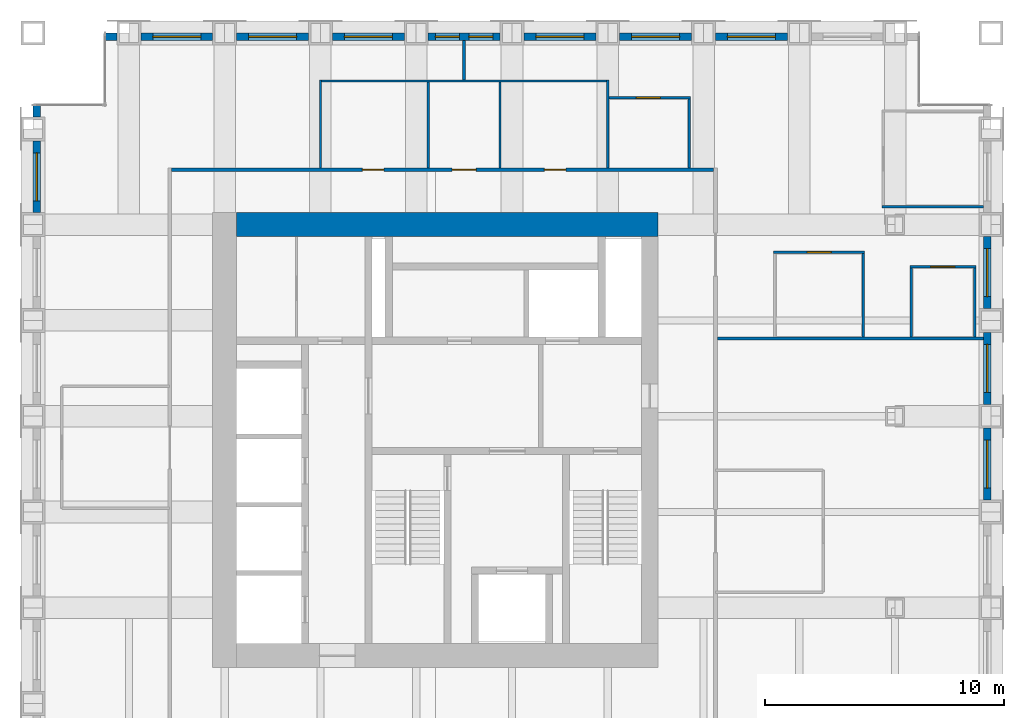
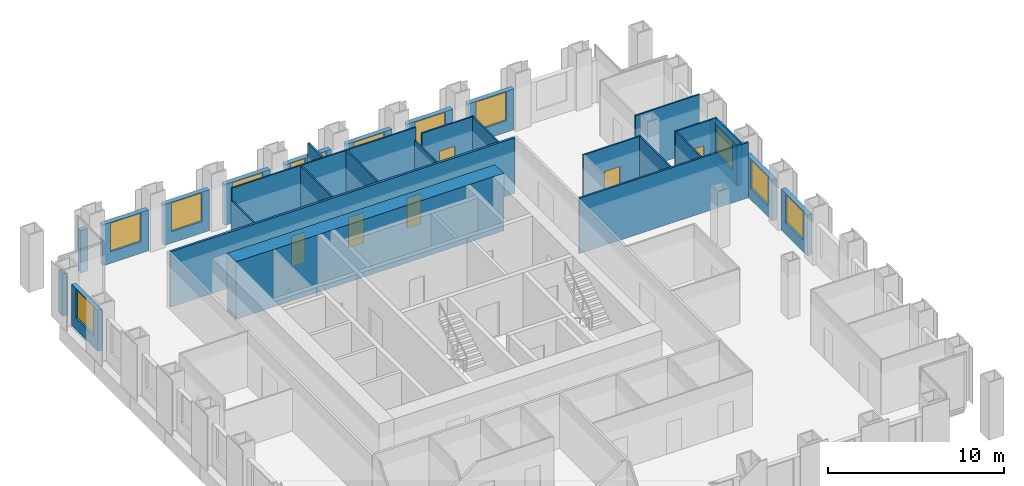
# One storey, part 10 of 13: 30 walls, 12 windows, 6 doors, 18 openings.
"""IFC4 building model written with IfcOpenShell, lengths in metres."""

import ifcopenshell
import ifcopenshell.guid

model = None  # the IFC model being written
_history = None  # IfcOwnerHistory: only IFC2X3 demands one
_inside = {}  # id of a spatial element -> (the spatial element, [elements in it])
_under = {}  # id of a project, library or spatial element -> (it, [spatial elements below it])
_declared = {}  # id of a project -> (the project, [libraries it declares])
_typed = {}  # id of a type object -> (the type object, [elements of that type])
_made_of = {}  # id of a material, layer set ... -> (it, [elements and type objects made of it])


def new_model(schema):
    """Start an empty IFC model of exactly this schema.

    Asked for "IFC4X3", IfcOpenShell would pick the latest addendum, in which some entities
    have other attributes; the version numbers below select the first issue.
    IFC2X3 requires an IfcOwnerHistory on every rooted entity: one is made here for all.
    """
    global model, _history
    if schema == "IFC4X3":
        model = ifcopenshell.file(schema_version=(4, 3, 0, 0))
    else:
        model = ifcopenshell.file(schema=schema)
    _inside.clear()
    _under.clear()
    _declared.clear()
    _typed.clear()
    _made_of.clear()
    _history = None
    if model.schema == "IFC2X3":
        org = make("IfcOrganization", Name="unknown")
        user = make(
            "IfcPersonAndOrganization",
            ThePerson=make("IfcPerson", FamilyName="unknown"),
            TheOrganization=org,
        )
        app = make(
            "IfcApplication",
            ApplicationDeveloper=org,
            Version="unknown",
            ApplicationFullName="unknown",
            ApplicationIdentifier="unknown",
        )
        _history = make(
            "IfcOwnerHistory",
            OwningUser=user,
            OwningApplication=app,
            ChangeAction="ADDED",
            CreationDate=0,
        )
    return model


def make(cls, **values):
    """One entity of the class cls with the attributes given. An attribute that is None is left unset."""
    return model.create_entity(
        cls, **{name: value for name, value in values.items() if value is not None}
    )


def rooted(cls, **values):
    """An entity with a GlobalId (a new one), such as an element, a storey or a relation."""
    return make(cls, GlobalId=ifcopenshell.guid.new(), OwnerHistory=_history, **values)


def si_unit(unit_type, name, prefix=None):
    """IfcSIUnit, for example si_unit("LENGTHUNIT", "METRE", prefix="MILLI")."""
    return make("IfcSIUnit", UnitType=unit_type, Prefix=prefix, Name=name)


def assignment(units):
    """IfcUnitAssignment: the units of a project."""
    return None if units is None else make("IfcUnitAssignment", Units=units)


def point(xyz):
    """IfcCartesianPoint."""
    return None if xyz is None else make("IfcCartesianPoint", Coordinates=xyz)


def direction(xyz):
    """IfcDirection."""
    return None if xyz is None else make("IfcDirection", DirectionRatios=xyz)


def frame(location, z_axis=None, x_axis=None):
    """IfcAxis2Placement3D, a coordinate frame: its origin and axes. An axis left out is left unset."""
    return make(
        "IfcAxis2Placement3D",
        Location=point(location),
        Axis=direction(z_axis),
        RefDirection=direction(x_axis),
    )


def frame_2d(location, x_axis=None):
    """IfcAxis2Placement2D, a coordinate frame in the plane: its origin and x axis."""
    return make(
        "IfcAxis2Placement2D", Location=point(location), RefDirection=direction(x_axis)
    )


def origin():
    """The frame at (0, 0, 0) with its axes left unset."""
    return frame((0.0, 0.0, 0.0))


def place(relative_to, where):
    """IfcLocalPlacement: puts the frame where relative to a parent placement (None: the world)."""
    return make(
        "IfcLocalPlacement", PlacementRelTo=relative_to, RelativePlacement=where
    )


def context(
    kind, dimensions, precision=None, world=None, true_north=None, identifier=None
):
    """IfcGeometricRepresentationContext, for example the 3D "Model" context."""
    return make(
        "IfcGeometricRepresentationContext",
        ContextIdentifier=identifier,
        ContextType=kind,
        CoordinateSpaceDimension=dimensions,
        Precision=precision,
        WorldCoordinateSystem=world,
        TrueNorth=true_north,
    )


def subcontext(parent, identifier, kind, view, scale=None):
    """IfcGeometricRepresentationSubContext, for example "Body" below "Model"."""
    return make(
        "IfcGeometricRepresentationSubContext",
        ContextIdentifier=identifier,
        ContextType=kind,
        ParentContext=parent,
        TargetScale=scale,
        TargetView=view,
    )


def project(units=None, contexts=None):
    """IfcProject with its units and contexts."""
    return rooted(
        "IfcProject",
        Name="project",
        RepresentationContexts=contexts,
        UnitsInContext=assignment(units),
    )


def spatial(cls, under=None, at=None, **own):
    """A site, building, storey or space (cls), placed at a placement, below another one or the project."""
    s = rooted(cls, ObjectPlacement=at, **own)
    if under is not None:
        _under.setdefault(under.id(), (under, []))[1].append(s)
    return s


def profile(cls, at=None, kind="AREA", **sizes):
    """A parametric profile (cls). Its sizes go by their IFC names, for example OverallWidth=200.0."""
    return make(cls, ProfileType=kind, Position=at, **sizes)


def rectangle(**sizes):
    """IfcRectangleProfileDef."""
    return profile("IfcRectangleProfileDef", **sizes)


def extrude(swept, where, along, depth):
    """IfcExtrudedAreaSolid: the profile swept, set in the frame where, extruded along a direction by depth."""
    return make(
        "IfcExtrudedAreaSolid",
        SweptArea=swept,
        Position=where,
        ExtrudedDirection=direction(along),
        Depth=depth,
    )


def shape(context_of_items, identifier, shape_type, items):
    """IfcShapeRepresentation: the items that make up one representation, for example the "Body"."""
    return make(
        "IfcShapeRepresentation",
        ContextOfItems=context_of_items,
        RepresentationIdentifier=identifier,
        RepresentationType=shape_type,
        Items=items,
    )


def material(Name=None, Category=None):
    """IfcMaterial."""
    return make("IfcMaterial", Name=Name, Category=Category)


def layer(
    of_material, thickness, ventilated=None, Name=None, Category=None, Priority=None
):
    """IfcMaterialLayer: one layer of a wall or slab, of a material (None: an air gap)."""
    return make(
        "IfcMaterialLayer",
        Material=of_material,
        LayerThickness=thickness,
        IsVentilated=ventilated,
        Name=Name,
        Category=Category,
        Priority=Priority,
    )


def layer_set(layers, Name=None):
    """IfcMaterialLayerSet."""
    return make("IfcMaterialLayerSet", MaterialLayers=layers, LayerSetName=Name)


def made_of(thing, what):
    """Note that an element or type object is made of a material, layer set ...; save() writes the relation."""
    if what is not None:
        _made_of.setdefault(what.id(), (what, []))[1].append(thing)
    return thing


def type_object(cls, material=None, **own):
    """A type object (cls), such as IfcWallType, which elements share."""
    return made_of(rooted(cls, **own), material)


def element(
    cls,
    number,
    at=None,
    inside=None,
    cuts=None,
    type_object=None,
    material=None,
    context=None,
    identifier="Body",
    shape_type=None,
    held_by="IfcProductDefinitionShape",
    body=None,
    shapes=None,
    **own,
):
    """One element of the class cls, such as IfcWall. Its Tag is "e" and its number.

    at: its placement. inside: the storey or other place that contains it. cuts: it is an
    opening in that element (IfcRelVoidsElement). A single representation is given by context,
    identifier, shape_type and body (its items); several are given by shapes. held_by: the class
    of the entity that holds the representations. save() writes the other relations.
    """
    e = rooted(cls, Tag="e%d" % number, ObjectPlacement=at, **own)
    if body is not None:
        shapes = [shape(context, identifier, shape_type, body)]
    if shapes is not None:
        e.Representation = make(held_by, Representations=shapes)
    if inside is not None:
        _inside.setdefault(inside.id(), (inside, []))[1].append(e)
    if cuts is not None:
        rooted(
            "IfcRelVoidsElement", RelatingBuildingElement=cuts, RelatedOpeningElement=e
        )
    if type_object is not None:
        _typed.setdefault(type_object.id(), (type_object, []))[1].append(e)
    return made_of(e, material)


def fill(opening, filler):
    """IfcRelFillsElement: the door or window that sits in an opening."""
    return rooted(
        "IfcRelFillsElement",
        RelatingOpeningElement=opening,
        RelatedBuildingElement=filler,
    )


def aggregate(whole, parts):
    """IfcRelAggregates: a whole, such as a stair, and the parts it consists of."""
    return rooted("IfcRelAggregates", RelatingObject=whole, RelatedObjects=parts)


def save(model, path):
    """Write the relations noted so far, then the file.

    IfcRelAggregates (storeys below a building ...), IfcRelContainedInSpatialStructure (elements
    in a storey), IfcRelDefinesByType, IfcRelAssociatesMaterial and IfcRelDeclares: one each for
    every whole, place, type object, material and project.
    """
    for whole, parts in _under.values():
        aggregate(whole, parts)
    for where, things in _inside.values():
        rooted(
            "IfcRelContainedInSpatialStructure",
            RelatedElements=things,
            RelatingStructure=where,
        )
    for kind, things in _typed.values():
        rooted("IfcRelDefinesByType", RelatedObjects=things, RelatingType=kind)
    for what, things in _made_of.values():
        rooted("IfcRelAssociatesMaterial", RelatedObjects=things, RelatingMaterial=what)
    for by, libraries in _declared.values():
        rooted("IfcRelDeclares", RelatingContext=by, RelatedDefinitions=libraries)
    model.write(path)


model = new_model("IFC4")

# Units and contexts
model_context = context("Model", 3, precision=1e-05, world=origin(), true_north=direction((0.0, 1.0)))
body_context = subcontext(model_context, "Body", "Model", "MODEL_VIEW")
ifc_project = project(units=[si_unit("LENGTHUNIT", "METRE"), si_unit("AREAUNIT", "SQUARE_METRE"), si_unit("VOLUMEUNIT", "CUBIC_METRE"), si_unit("PLANEANGLEUNIT", "RADIAN"), si_unit("MASSUNIT", "GRAM", prefix="KILO")], contexts=[model_context])

# Site, building, storey
site_placement = place(None, origin())
site = spatial("IfcSite", under=ifc_project, at=site_placement, CompositionType="ELEMENT")
building_placement = place(site_placement, origin())
building = spatial("IfcBuilding", under=site, at=building_placement, Name="Rimbunsela Tower", CompositionType="ELEMENT")
storey_placement = place(building_placement, frame((0.0, 0.0, 258.199951171875)))
storey = spatial("IfcBuildingStorey", under=building, at=storey_placement, Name="L62", CompositionType="ELEMENT", Elevation=258.199951171875)

# Wall
ifc_material_1 = material(Name="Concrete fc' 80 MPa", Category="concrete")
ifc_layer_1 = layer(ifc_material_1, 1.0)
ifc_layer_set_1 = layer_set([ifc_layer_1], Name="Core wall 1000")
wall_type_1 = type_object("IfcWallType", Name="Core wall 1000", PredefinedType="SHEAR", material=ifc_layer_set_1)
wall_1_placement = place(storey_placement, frame((18.5, 36.0, -0.14990234375), z_axis=(0.0, 0.0, 1.0), x_axis=(1.0, 0.0, 0.0)))
element("IfcWall", 1, at=wall_1_placement, inside=storey, type_object=wall_type_1, Name="Core wall north", PredefinedType="SHEAR", context=body_context, shape_type="SweptSolid", body=[
    extrude(rectangle(XDim=17.60009765625, YDim=1.0, at=frame_2d((8.800048828125, 0.0))), origin(), (0.0, 0.0, 1.0), 4.0),
])

# Wall, opening, door
ifc_material_2 = material(Name="Gypsum board on steel studs", Category="steel")
ifc_layer_2 = layer(ifc_material_2, 0.10009765625)
ifc_layer_set_2 = layer_set([ifc_layer_2], Name="Office partition 100")
wall_type_2 = type_object("IfcWallType", Name="Office partition 100", PredefinedType="PARTITIONING", material=ifc_layer_set_2)
wall_2_placement = place(storey_placement, frame((46.625, 34.25, 0.0), z_axis=(0.0, 0.0, 1.0), x_axis=(1.0, 0.0, 0.0)))
wall_2 = element("IfcWall", 2, at=wall_2_placement, inside=storey, type_object=wall_type_2, Name="Office partition", PredefinedType="PARTITIONING", context=body_context, shape_type="SweptSolid", body=[
    extrude(rectangle(XDim=2.75, YDim=0.10009765625, at=frame_2d((1.375, 0.0))), origin(), (0.0, 0.0, 1.0), 3.85009765625),
])
opening_1_placement = place(wall_2_placement, frame((0.875, 0.0, 0.0)))
opening_1 = element("IfcOpeningElement", 3, at=opening_1_placement, cuts=wall_2, Name="Opening D16", PredefinedType="OPENING", context=body_context, shape_type="SweptSolid", body=[
    extrude(rectangle(XDim=1.0, YDim=2.199951171875, at=frame_2d((0.5, 1.10009765625))), frame((0.0, 0.06005859375, 0.0), z_axis=(0.0, -1.0, 0.0), x_axis=(1.0, 0.0, 0.0)), (0.0, 0.0, 1.0), 0.1201171875),
])
ifc_material_3 = material(Name="Timber door", Category="wood")
door_type_1 = type_object("IfcDoorType", Name="Office door 1000", OperationType="SINGLE_SWING_LEFT", PredefinedType="DOOR", material=ifc_material_3)
door_1_placement = place(opening_1_placement, origin())
door_1 = element("IfcDoor", 4, at=door_1_placement, inside=storey, type_object=door_type_1, Name="Office door", OperationType="SINGLE_SWING_LEFT", OverallHeight=2.199951171875, OverallWidth=1.0, PredefinedType="DOOR", context=body_context, shape_type="SweptSolid", body=[
    extrude(rectangle(XDim=1.0, YDim=2.199951171875, at=frame_2d((0.5, 1.10009765625))), frame((0.0, 0.02490234375, 0.0), z_axis=(0.0, -1.0, 0.0), x_axis=(1.0, 0.0, 0.0)), (0.0, 0.0, 1.0), 0.050048828125),
])
fill(opening_1, door_1)

wall_3_placement = place(storey_placement, frame((40.925048828125, 34.85009765625, 0.0), z_axis=(0.0, 0.0, 1.0), x_axis=(1.0, 0.0, 0.0)))
wall_3 = element("IfcWall", 5, at=wall_3_placement, inside=storey, type_object=wall_type_2, Name="Office partition", PredefinedType="PARTITIONING", context=body_context, shape_type="SweptSolid", body=[
    extrude(rectangle(XDim=3.800048828125, YDim=0.10009765625, at=frame_2d((1.89990234375, 0.0))), origin(), (0.0, 0.0, 1.0), 3.85009765625),
])
opening_2_placement = place(wall_3_placement, frame((1.39990234375, 0.0, 0.0)))
opening_2 = element("IfcOpeningElement", 6, at=opening_2_placement, cuts=wall_3, Name="Opening D17", PredefinedType="OPENING", context=body_context, shape_type="SweptSolid", body=[
    extrude(rectangle(XDim=1.0, YDim=2.199951171875, at=frame_2d((0.5, 1.10009765625))), frame((0.0, 0.06005859375, 0.0), z_axis=(0.0, -1.0, 0.0), x_axis=(1.0, 0.0, 0.0)), (0.0, 0.0, 1.0), 0.1201171875),
])
ifc_material_4 = material(Name="Glazed aluminium door", Category="aluminium")
door_type_2 = type_object("IfcDoorType", Name="Meeting room door 1000 glazed", OperationType="SINGLE_SWING_RIGHT", PredefinedType="DOOR", material=ifc_material_4)
door_2_placement = place(opening_2_placement, origin())
door_2 = element("IfcDoor", 7, at=door_2_placement, inside=storey, type_object=door_type_2, Name="Meeting room door", OperationType="SINGLE_SWING_RIGHT", OverallHeight=2.199951171875, OverallWidth=1.0, PredefinedType="DOOR", context=body_context, shape_type="SweptSolid", body=[
    extrude(rectangle(XDim=1.0, YDim=2.199951171875, at=frame_2d((0.5, 1.10009765625))), frame((0.0, 0.02490234375, 0.0), z_axis=(0.0, -1.0, 0.0), x_axis=(1.0, 0.0, 0.0)), (0.0, 0.0, 1.0), 0.050048828125),
])
fill(opening_2, door_2)

# Wall
wall_4_placement = place(storey_placement, frame((45.449951171875, 36.75, 0.0), z_axis=(0.0, 0.0, 1.0), x_axis=(1.0, 0.0, 0.0)))
element("IfcWall", 8, at=wall_4_placement, inside=storey, type_object=wall_type_2, Name="Office partition", PredefinedType="PARTITIONING", context=body_context, shape_type="SweptSolid", body=[
    extrude(rectangle(XDim=4.25, YDim=0.10009765625, at=frame_2d((2.125, 0.0))), origin(), (0.0, 0.0, 1.0), 3.85009765625),
])

# Wall, opening, door
wall_5_placement = place(storey_placement, frame((34.050048828125, 41.300048828125, 0.0), z_axis=(0.0, 0.0, 1.0), x_axis=(1.0, 0.0, 0.0)))
wall_5 = element("IfcWall", 9, at=wall_5_placement, inside=storey, type_object=wall_type_2, Name="Office partition", PredefinedType="PARTITIONING", context=body_context, shape_type="SweptSolid", body=[
    extrude(rectangle(XDim=3.39990234375, YDim=0.10009765625, at=frame_2d((1.699951171875, 0.0))), origin(), (0.0, 0.0, 1.0), 3.85009765625),
])
opening_3_placement = place(wall_5_placement, frame((1.14990234375, 0.0, 0.0)))
opening_3 = element("IfcOpeningElement", 10, at=opening_3_placement, cuts=wall_5, Name="Opening D16", PredefinedType="OPENING", context=body_context, shape_type="SweptSolid", body=[
    extrude(rectangle(XDim=1.0, YDim=2.199951171875, at=frame_2d((0.5, 1.10009765625))), frame((0.0, 0.06005859375, 0.0), z_axis=(0.0, -1.0, 0.0), x_axis=(1.0, 0.0, 0.0)), (0.0, 0.0, 1.0), 0.1201171875),
])
door_3_placement = place(opening_3_placement, origin())
door_3 = element("IfcDoor", 11, at=door_3_placement, inside=storey, type_object=door_type_1, Name="Office door", OperationType="SINGLE_SWING_LEFT", OverallHeight=2.199951171875, OverallWidth=1.0, PredefinedType="DOOR", context=body_context, shape_type="SweptSolid", body=[
    extrude(rectangle(XDim=1.0, YDim=2.199951171875, at=frame_2d((0.5, 1.10009765625))), frame((0.0, 0.02490234375, 0.0), z_axis=(0.0, -1.0, 0.0), x_axis=(1.0, 0.0, 0.0)), (0.0, 0.0, 1.0), 0.050048828125),
])
fill(opening_3, door_3)

# Walls
wall_6_placement = place(storey_placement, frame((37.39990234375, 38.375, 0.0), z_axis=(0.0, 0.0, 1.0), x_axis=(0.0, 1.0, 0.0)))
element("IfcWall", 12, at=wall_6_placement, inside=storey, type_object=wall_type_2, Name="Office partition", PredefinedType="PARTITIONING", context=body_context, shape_type="SweptSolid", body=[
    extrude(rectangle(XDim=2.875, YDim=0.10009765625, at=frame_2d((1.4375, 0.0))), origin(), (0.0, 0.0, 1.0), 3.85009765625),
])
wall_7_placement = place(storey_placement, frame((44.675048828125, 31.31005859375, 0.0), z_axis=(0.0, 0.0, 1.0), x_axis=(0.0, 1.0, 0.0)))
element("IfcWall", 13, at=wall_7_placement, inside=storey, type_object=wall_type_2, Name="Office partition", PredefinedType="PARTITIONING", context=body_context, shape_type="SweptSolid", body=[
    extrude(rectangle(XDim=3.489990234375, YDim=0.10009765625, at=frame_2d((1.7451171875, 0.0))), origin(), (0.0, 0.0, 1.0), 3.85009765625),
])
for number, where, z_axis, x_axis, name in (
    (14, (46.675048828125, 31.31005859375, 0.0), (0.0, 0.0, 1.0), (0.0, 1.0, 0.0), "Office partition"),
    (15, (49.324951171875, 31.31005859375, 0.0), (0.0, 0.0, 1.0), (0.0, 1.0, 0.0), "Office partition"),
):
    element("IfcWall", number, at=place(storey_placement, frame(where, z_axis=z_axis, x_axis=x_axis)), inside=storey, type_object=wall_type_2, Name=name, PredefinedType="PARTITIONING", context=body_context, shape_type="SweptSolid", body=[
        extrude(rectangle(XDim=2.889892578125, YDim=0.10009765625, at=frame_2d((1.44482421875, 0.0))), origin(), (0.0, 0.0, 1.0), 3.85009765625),
    ])

# Wall, opening, window
ifc_material_5 = material(Name="Precast concrete fc' 35 MPa", Category="concrete")
ifc_layer_3 = layer(ifc_material_5, 0.300048828125)
ifc_layer_set_3 = layer_set([ifc_layer_3], Name="Precast concrete fc' 35 MPa")
wall_type_3 = type_object("IfcWallType", Name="Precast facade panel 300", PredefinedType="ELEMENTEDWALL", material=ifc_layer_set_3)
wall_8_placement = place(storey_placement, frame((49.85009765625, 24.5, 0.0), z_axis=(0.0, 0.0, 1.0), x_axis=(0.0, 1.0, 0.0)))
wall_8 = element("IfcWall", 16, at=wall_8_placement, inside=storey, type_object=wall_type_3, Name="Facade panel E L62", PredefinedType="ELEMENTEDWALL", context=body_context, shape_type="SweptSolid", body=[
    extrude(rectangle(XDim=3.0, YDim=0.300048828125, at=frame_2d((1.5, 0.0))), origin(), (0.0, 0.0, 1.0), 2.85009765625),
])
opening_4_placement = place(wall_8_placement, frame((0.5, 0.0, 0.800048828125)))
opening_4 = element("IfcOpeningElement", 17, at=opening_4_placement, cuts=wall_8, Name="Opening W1", PredefinedType="OPENING", context=body_context, shape_type="SweptSolid", body=[
    extrude(rectangle(XDim=2.0, YDim=2.0, at=frame_2d((1.0, 1.0))), frame((0.0, 0.159912109375, 0.0), z_axis=(0.0, -1.0, 0.0), x_axis=(1.0, 0.0, 0.0)), (0.0, 0.0, 1.0), 0.320068359375),
])
ifc_material_6 = material(Name="Clear glass in aluminium frame", Category="aluminium")
window_type_1 = type_object("IfcWindowType", Name="Window W1 2000x2000", PartitioningType="DOUBLE_PANEL_VERTICAL", PredefinedType="WINDOW", material=ifc_material_6)
window_1_placement = place(opening_4_placement, origin())
window_1 = element("IfcWindow", 18, at=window_1_placement, inside=storey, type_object=window_type_1, Name="Window L62", OverallHeight=2.0, OverallWidth=2.0, PartitioningType="SINGLE_PANEL", PredefinedType="WINDOW", context=body_context, shape_type="SweptSolid", body=[
    extrude(rectangle(XDim=2.0, YDim=2.0, at=frame_2d((1.0, 1.0))), frame((0.0, 0.030029296875, 0.0), z_axis=(0.0, -1.0, 0.0), x_axis=(1.0, 0.0, 0.0)), (0.0, 0.0, 1.0), 0.06005859375),
])
fill(opening_4, window_1)

wall_9_placement = place(storey_placement, frame((49.85009765625, 28.5, 0.0), z_axis=(0.0, 0.0, 1.0), x_axis=(0.0, 1.0, 0.0)))
wall_9 = element("IfcWall", 19, at=wall_9_placement, inside=storey, type_object=wall_type_3, Name="Facade panel E L62", PredefinedType="ELEMENTEDWALL", context=body_context, shape_type="SweptSolid", body=[
    extrude(rectangle(XDim=3.0, YDim=0.300048828125, at=frame_2d((1.5, 0.0))), origin(), (0.0, 0.0, 1.0), 2.85009765625),
])
opening_5_placement = place(wall_9_placement, frame((0.5, 0.0, 0.800048828125)))
opening_5 = element("IfcOpeningElement", 20, at=opening_5_placement, cuts=wall_9, Name="Opening W1", PredefinedType="OPENING", context=body_context, shape_type="SweptSolid", body=[
    extrude(rectangle(XDim=2.0, YDim=2.0, at=frame_2d((1.0, 1.0))), frame((0.0, 0.159912109375, 0.0), z_axis=(0.0, -1.0, 0.0), x_axis=(1.0, 0.0, 0.0)), (0.0, 0.0, 1.0), 0.320068359375),
])
window_2_placement = place(opening_5_placement, origin())
window_2 = element("IfcWindow", 21, at=window_2_placement, inside=storey, type_object=window_type_1, Name="Window L62", OverallHeight=2.0, OverallWidth=2.0, PartitioningType="SINGLE_PANEL", PredefinedType="WINDOW", context=body_context, shape_type="SweptSolid", body=[
    extrude(rectangle(XDim=2.0, YDim=2.0, at=frame_2d((1.0, 1.0))), frame((0.0, 0.030029296875, 0.0), z_axis=(0.0, -1.0, 0.0), x_axis=(1.0, 0.0, 0.0)), (0.0, 0.0, 1.0), 0.06005859375),
])
fill(opening_5, window_2)

wall_10_placement = place(storey_placement, frame((49.85009765625, 32.5, 0.0), z_axis=(0.0, 0.0, 1.0), x_axis=(0.0, 1.0, 0.0)))
wall_10 = element("IfcWall", 22, at=wall_10_placement, inside=storey, type_object=wall_type_3, Name="Facade panel E L62", PredefinedType="ELEMENTEDWALL", context=body_context, shape_type="SweptSolid", body=[
    extrude(rectangle(XDim=3.0, YDim=0.300048828125, at=frame_2d((1.5, 0.0))), origin(), (0.0, 0.0, 1.0), 2.85009765625),
])
opening_6_placement = place(wall_10_placement, frame((0.5, 0.0, 0.800048828125)))
opening_6 = element("IfcOpeningElement", 23, at=opening_6_placement, cuts=wall_10, Name="Opening W1", PredefinedType="OPENING", context=body_context, shape_type="SweptSolid", body=[
    extrude(rectangle(XDim=2.0, YDim=2.0, at=frame_2d((1.0, 1.0))), frame((0.0, 0.159912109375, 0.0), z_axis=(0.0, -1.0, 0.0), x_axis=(1.0, 0.0, 0.0)), (0.0, 0.0, 1.0), 0.320068359375),
])
window_3_placement = place(opening_6_placement, origin())
window_3 = element("IfcWindow", 24, at=window_3_placement, inside=storey, type_object=window_type_1, Name="Window L62", OverallHeight=2.0, OverallWidth=2.0, PartitioningType="SINGLE_PANEL", PredefinedType="WINDOW", context=body_context, shape_type="SweptSolid", body=[
    extrude(rectangle(XDim=2.0, YDim=2.0, at=frame_2d((1.0, 1.0))), frame((0.0, 0.030029296875, 0.0), z_axis=(0.0, -1.0, 0.0), x_axis=(1.0, 0.0, 0.0)), (0.0, 0.0, 1.0), 0.06005859375),
])
fill(opening_6, window_3)

# Wall
wall_11_placement = place(storey_placement, frame((13.5, 43.85009765625, 0.0), z_axis=(0.0, 0.0, 1.0), x_axis=(-1.0, 0.0, 0.0)))
element("IfcWall", 25, at=wall_11_placement, inside=storey, type_object=wall_type_3, Name="Facade panel N L62", PredefinedType="ELEMENTEDWALL", context=body_context, shape_type="SweptSolid", body=[
    extrude(rectangle(XDim=0.469970703125, YDim=0.300048828125, at=frame_2d((0.23486328125, 0.0))), origin(), (0.0, 0.0, 1.0), 2.949951171875),
])

# Wall, opening, window
wall_12_placement = place(storey_placement, frame((17.5, 43.85009765625, 0.0), z_axis=(0.0, 0.0, 1.0), x_axis=(-1.0, 0.0, 0.0)))
wall_12 = element("IfcWall", 26, at=wall_12_placement, inside=storey, type_object=wall_type_3, Name="Facade panel N L62", PredefinedType="ELEMENTEDWALL", context=body_context, shape_type="SweptSolid", body=[
    extrude(rectangle(XDim=3.0, YDim=0.300048828125, at=frame_2d((1.5, 0.0))), origin(), (0.0, 0.0, 1.0), 2.85009765625),
])
opening_7_placement = place(wall_12_placement, frame((0.5, 0.0, 0.800048828125)))
opening_7 = element("IfcOpeningElement", 27, at=opening_7_placement, cuts=wall_12, Name="Opening W1", PredefinedType="OPENING", context=body_context, shape_type="SweptSolid", body=[
    extrude(rectangle(XDim=2.0, YDim=2.0, at=frame_2d((1.0, 1.0))), frame((0.0, 0.159912109375, 0.0), z_axis=(0.0, -1.0, 0.0), x_axis=(1.0, 0.0, 0.0)), (0.0, 0.0, 1.0), 0.320068359375),
])
window_4_placement = place(opening_7_placement, origin())
window_4 = element("IfcWindow", 28, at=window_4_placement, inside=storey, type_object=window_type_1, Name="Window L62", OverallHeight=2.0, OverallWidth=2.0, PartitioningType="SINGLE_PANEL", PredefinedType="WINDOW", context=body_context, shape_type="SweptSolid", body=[
    extrude(rectangle(XDim=2.0, YDim=2.0, at=frame_2d((1.0, 1.0))), frame((0.0, 0.030029296875, 0.0), z_axis=(0.0, -1.0, 0.0), x_axis=(1.0, 0.0, 0.0)), (0.0, 0.0, 1.0), 0.06005859375),
])
fill(opening_7, window_4)

wall_13_placement = place(storey_placement, frame((21.5, 43.85009765625, 0.0), z_axis=(0.0, 0.0, 1.0), x_axis=(-1.0, 0.0, 0.0)))
wall_13 = element("IfcWall", 29, at=wall_13_placement, inside=storey, type_object=wall_type_3, Name="Facade panel N L62", PredefinedType="ELEMENTEDWALL", context=body_context, shape_type="SweptSolid", body=[
    extrude(rectangle(XDim=3.0, YDim=0.300048828125, at=frame_2d((1.5, 0.0))), origin(), (0.0, 0.0, 1.0), 2.85009765625),
])
opening_8_placement = place(wall_13_placement, frame((0.5, 0.0, 0.800048828125)))
opening_8 = element("IfcOpeningElement", 30, at=opening_8_placement, cuts=wall_13, Name="Opening W1", PredefinedType="OPENING", context=body_context, shape_type="SweptSolid", body=[
    extrude(rectangle(XDim=2.0, YDim=2.0, at=frame_2d((1.0, 1.0))), frame((0.0, 0.159912109375, 0.0), z_axis=(0.0, -1.0, 0.0), x_axis=(1.0, 0.0, 0.0)), (0.0, 0.0, 1.0), 0.320068359375),
])
window_5_placement = place(opening_8_placement, origin())
window_5 = element("IfcWindow", 31, at=window_5_placement, inside=storey, type_object=window_type_1, Name="Window L62", OverallHeight=2.0, OverallWidth=2.0, PartitioningType="SINGLE_PANEL", PredefinedType="WINDOW", context=body_context, shape_type="SweptSolid", body=[
    extrude(rectangle(XDim=2.0, YDim=2.0, at=frame_2d((1.0, 1.0))), frame((0.0, 0.030029296875, 0.0), z_axis=(0.0, -1.0, 0.0), x_axis=(1.0, 0.0, 0.0)), (0.0, 0.0, 1.0), 0.06005859375),
])
fill(opening_8, window_5)

wall_14_placement = place(storey_placement, frame((25.5, 43.85009765625, 0.0), z_axis=(0.0, 0.0, 1.0), x_axis=(-1.0, 0.0, 0.0)))
wall_14 = element("IfcWall", 32, at=wall_14_placement, inside=storey, type_object=wall_type_3, Name="Facade panel N L62", PredefinedType="ELEMENTEDWALL", context=body_context, shape_type="SweptSolid", body=[
    extrude(rectangle(XDim=3.0, YDim=0.300048828125, at=frame_2d((1.5, 0.0))), origin(), (0.0, 0.0, 1.0), 2.85009765625),
])
opening_9_placement = place(wall_14_placement, frame((0.5, 0.0, 0.800048828125)))
opening_9 = element("IfcOpeningElement", 33, at=opening_9_placement, cuts=wall_14, Name="Opening W1", PredefinedType="OPENING", context=body_context, shape_type="SweptSolid", body=[
    extrude(rectangle(XDim=2.0, YDim=2.0, at=frame_2d((1.0, 1.0))), frame((0.0, 0.159912109375, 0.0), z_axis=(0.0, -1.0, 0.0), x_axis=(1.0, 0.0, 0.0)), (0.0, 0.0, 1.0), 0.320068359375),
])
window_6_placement = place(opening_9_placement, origin())
window_6 = element("IfcWindow", 34, at=window_6_placement, inside=storey, type_object=window_type_1, Name="Window L62", OverallHeight=2.0, OverallWidth=2.0, PartitioningType="SINGLE_PANEL", PredefinedType="WINDOW", context=body_context, shape_type="SweptSolid", body=[
    extrude(rectangle(XDim=2.0, YDim=2.0, at=frame_2d((1.0, 1.0))), frame((0.0, 0.030029296875, 0.0), z_axis=(0.0, -1.0, 0.0), x_axis=(1.0, 0.0, 0.0)), (0.0, 0.0, 1.0), 0.06005859375),
])
fill(opening_9, window_6)

# Wall, openings, windows
wall_15_placement = place(storey_placement, frame((29.5, 43.85009765625, 0.0), z_axis=(0.0, 0.0, 1.0), x_axis=(-1.0, 0.0, 0.0)))
wall_15 = element("IfcWall", 35, at=wall_15_placement, inside=storey, type_object=wall_type_3, Name="Facade panel N L62", PredefinedType="ELEMENTEDWALL", context=body_context, shape_type="SweptSolid", body=[
    extrude(rectangle(XDim=3.0, YDim=0.300048828125, at=frame_2d((1.5, 0.0))), origin(), (0.0, 0.0, 1.0), 2.85009765625),
])
opening_10_placement = place(wall_15_placement, frame((1.699951171875, 0.0, 0.800048828125)))
opening_10 = element("IfcOpeningElement", 36, at=opening_10_placement, cuts=wall_15, Name="Opening W5", PredefinedType="OPENING", context=body_context, shape_type="SweptSolid", body=[
    extrude(rectangle(XDim=1.0, YDim=2.0, at=frame_2d((0.5, 1.0))), frame((0.0, 0.159912109375, 0.0), z_axis=(0.0, -1.0, 0.0), x_axis=(1.0, 0.0, 0.0)), (0.0, 0.0, 1.0), 0.320068359375),
])
opening_11_placement = place(wall_15_placement, frame((0.300048828125, 0.0, 0.800048828125)))
opening_11 = element("IfcOpeningElement", 37, at=opening_11_placement, cuts=wall_15, Name="Opening W5", PredefinedType="OPENING", context=body_context, shape_type="SweptSolid", body=[
    extrude(rectangle(XDim=1.0, YDim=2.0, at=frame_2d((0.5, 1.0))), frame((0.0, 0.159912109375, 0.0), z_axis=(0.0, -1.0, 0.0), x_axis=(1.0, 0.0, 0.0)), (0.0, 0.0, 1.0), 0.320068359375),
])
ifc_material_7 = material(Name="Clear glass in aluminium frame", Category="aluminium")
window_type_2 = type_object("IfcWindowType", Name="Window W5 1000x2000", PartitioningType="SINGLE_PANEL", PredefinedType="WINDOW", material=ifc_material_7)
window_7_placement = place(opening_10_placement, origin())
window_7 = element("IfcWindow", 38, at=window_7_placement, inside=storey, type_object=window_type_2, Name="Window L62", OverallHeight=2.0, OverallWidth=1.0, PartitioningType="SINGLE_PANEL", PredefinedType="WINDOW", context=body_context, shape_type="SweptSolid", body=[
    extrude(rectangle(XDim=1.0, YDim=2.0, at=frame_2d((0.5, 1.0))), frame((0.0, 0.030029296875, 0.0), z_axis=(0.0, -1.0, 0.0), x_axis=(1.0, 0.0, 0.0)), (0.0, 0.0, 1.0), 0.06005859375),
])
fill(opening_10, window_7)
window_8_placement = place(opening_11_placement, origin())
window_8 = element("IfcWindow", 39, at=window_8_placement, inside=storey, type_object=window_type_2, Name="Window L62", OverallHeight=2.0, OverallWidth=1.0, PartitioningType="SINGLE_PANEL", PredefinedType="WINDOW", context=body_context, shape_type="SweptSolid", body=[
    extrude(rectangle(XDim=1.0, YDim=2.0, at=frame_2d((0.5, 1.0))), frame((0.0, 0.030029296875, 0.0), z_axis=(0.0, -1.0, 0.0), x_axis=(1.0, 0.0, 0.0)), (0.0, 0.0, 1.0), 0.06005859375),
])
fill(opening_11, window_8)

# Wall, opening, window
wall_16_placement = place(storey_placement, frame((33.5, 43.85009765625, 0.0), z_axis=(0.0, 0.0, 1.0), x_axis=(-1.0, 0.0, 0.0)))
wall_16 = element("IfcWall", 40, at=wall_16_placement, inside=storey, type_object=wall_type_3, Name="Facade panel N L62", PredefinedType="ELEMENTEDWALL", context=body_context, shape_type="SweptSolid", body=[
    extrude(rectangle(XDim=3.0, YDim=0.300048828125, at=frame_2d((1.5, 0.0))), origin(), (0.0, 0.0, 1.0), 2.85009765625),
])
opening_12_placement = place(wall_16_placement, frame((0.5, 0.0, 0.800048828125)))
opening_12 = element("IfcOpeningElement", 41, at=opening_12_placement, cuts=wall_16, Name="Opening W1", PredefinedType="OPENING", context=body_context, shape_type="SweptSolid", body=[
    extrude(rectangle(XDim=2.0, YDim=2.0, at=frame_2d((1.0, 1.0))), frame((0.0, 0.159912109375, 0.0), z_axis=(0.0, -1.0, 0.0), x_axis=(1.0, 0.0, 0.0)), (0.0, 0.0, 1.0), 0.320068359375),
])
window_9_placement = place(opening_12_placement, origin())
window_9 = element("IfcWindow", 42, at=window_9_placement, inside=storey, type_object=window_type_1, Name="Window L62", OverallHeight=2.0, OverallWidth=2.0, PartitioningType="SINGLE_PANEL", PredefinedType="WINDOW", context=body_context, shape_type="SweptSolid", body=[
    extrude(rectangle(XDim=2.0, YDim=2.0, at=frame_2d((1.0, 1.0))), frame((0.0, 0.030029296875, 0.0), z_axis=(0.0, -1.0, 0.0), x_axis=(1.0, 0.0, 0.0)), (0.0, 0.0, 1.0), 0.06005859375),
])
fill(opening_12, window_9)

wall_17_placement = place(storey_placement, frame((37.5, 43.85009765625, 0.0), z_axis=(0.0, 0.0, 1.0), x_axis=(-1.0, 0.0, 0.0)))
wall_17 = element("IfcWall", 43, at=wall_17_placement, inside=storey, type_object=wall_type_3, Name="Facade panel N L62", PredefinedType="ELEMENTEDWALL", context=body_context, shape_type="SweptSolid", body=[
    extrude(rectangle(XDim=3.0, YDim=0.300048828125, at=frame_2d((1.5, 0.0))), origin(), (0.0, 0.0, 1.0), 2.85009765625),
])
opening_13_placement = place(wall_17_placement, frame((0.5, 0.0, 0.800048828125)))
opening_13 = element("IfcOpeningElement", 44, at=opening_13_placement, cuts=wall_17, Name="Opening W1", PredefinedType="OPENING", context=body_context, shape_type="SweptSolid", body=[
    extrude(rectangle(XDim=2.0, YDim=2.0, at=frame_2d((1.0, 1.0))), frame((0.0, 0.159912109375, 0.0), z_axis=(0.0, -1.0, 0.0), x_axis=(1.0, 0.0, 0.0)), (0.0, 0.0, 1.0), 0.320068359375),
])
window_10_placement = place(opening_13_placement, origin())
window_10 = element("IfcWindow", 45, at=window_10_placement, inside=storey, type_object=window_type_1, Name="Window L62", OverallHeight=2.0, OverallWidth=2.0, PartitioningType="SINGLE_PANEL", PredefinedType="WINDOW", context=body_context, shape_type="SweptSolid", body=[
    extrude(rectangle(XDim=2.0, YDim=2.0, at=frame_2d((1.0, 1.0))), frame((0.0, 0.030029296875, 0.0), z_axis=(0.0, -1.0, 0.0), x_axis=(1.0, 0.0, 0.0)), (0.0, 0.0, 1.0), 0.06005859375),
])
fill(opening_13, window_10)

wall_18_placement = place(storey_placement, frame((41.5, 43.85009765625, 0.0), z_axis=(0.0, 0.0, 1.0), x_axis=(-1.0, 0.0, 0.0)))
wall_18 = element("IfcWall", 46, at=wall_18_placement, inside=storey, type_object=wall_type_3, Name="Facade panel N L62", PredefinedType="ELEMENTEDWALL", context=body_context, shape_type="SweptSolid", body=[
    extrude(rectangle(XDim=3.0, YDim=0.300048828125, at=frame_2d((1.5, 0.0))), origin(), (0.0, 0.0, 1.0), 2.85009765625),
])
opening_14_placement = place(wall_18_placement, frame((0.5, 0.0, 0.800048828125)))
opening_14 = element("IfcOpeningElement", 47, at=opening_14_placement, cuts=wall_18, Name="Opening W1", PredefinedType="OPENING", context=body_context, shape_type="SweptSolid", body=[
    extrude(rectangle(XDim=2.0, YDim=2.0, at=frame_2d((1.0, 1.0))), frame((0.0, 0.159912109375, 0.0), z_axis=(0.0, -1.0, 0.0), x_axis=(1.0, 0.0, 0.0)), (0.0, 0.0, 1.0), 0.320068359375),
])
window_11_placement = place(opening_14_placement, origin())
window_11 = element("IfcWindow", 48, at=window_11_placement, inside=storey, type_object=window_type_1, Name="Window L62", OverallHeight=2.0, OverallWidth=2.0, PartitioningType="SINGLE_PANEL", PredefinedType="WINDOW", context=body_context, shape_type="SweptSolid", body=[
    extrude(rectangle(XDim=2.0, YDim=2.0, at=frame_2d((1.0, 1.0))), frame((0.0, 0.030029296875, 0.0), z_axis=(0.0, -1.0, 0.0), x_axis=(1.0, 0.0, 0.0)), (0.0, 0.0, 1.0), 0.06005859375),
])
fill(opening_14, window_11)

wall_19_placement = place(storey_placement, frame((10.14990234375, 39.5, 0.0), z_axis=(0.0, 0.0, 1.0), x_axis=(0.0, -1.0, 0.0)))
wall_19 = element("IfcWall", 49, at=wall_19_placement, inside=storey, type_object=wall_type_3, Name="Facade panel W L62", PredefinedType="ELEMENTEDWALL", context=body_context, shape_type="SweptSolid", body=[
    extrude(rectangle(XDim=3.0, YDim=0.300048828125, at=frame_2d((1.5, 0.0))), origin(), (0.0, 0.0, 1.0), 2.85009765625),
])
opening_15_placement = place(wall_19_placement, frame((0.5, 0.0, 0.800048828125)))
opening_15 = element("IfcOpeningElement", 50, at=opening_15_placement, cuts=wall_19, Name="Opening W1", PredefinedType="OPENING", context=body_context, shape_type="SweptSolid", body=[
    extrude(rectangle(XDim=2.0, YDim=2.0, at=frame_2d((1.0, 1.0))), frame((0.0, 0.159912109375, 0.0), z_axis=(0.0, -1.0, 0.0), x_axis=(1.0, 0.0, 0.0)), (0.0, 0.0, 1.0), 0.320068359375),
])
window_12_placement = place(opening_15_placement, origin())
window_12 = element("IfcWindow", 51, at=window_12_placement, inside=storey, type_object=window_type_1, Name="Window L62", OverallHeight=2.0, OverallWidth=2.0, PartitioningType="SINGLE_PANEL", PredefinedType="WINDOW", context=body_context, shape_type="SweptSolid", body=[
    extrude(rectangle(XDim=2.0, YDim=2.0, at=frame_2d((1.0, 1.0))), frame((0.0, 0.030029296875, 0.0), z_axis=(0.0, -1.0, 0.0), x_axis=(1.0, 0.0, 0.0)), (0.0, 0.0, 1.0), 0.06005859375),
])
fill(opening_15, window_12)

# Wall
wall_20_placement = place(storey_placement, frame((10.14990234375, 40.969970703125, 0.0), z_axis=(0.0, 0.0, 1.0), x_axis=(0.0, -1.0, 0.0)))
element("IfcWall", 52, at=wall_20_placement, inside=storey, type_object=wall_type_3, Name="Facade panel W L62", PredefinedType="ELEMENTEDWALL", context=body_context, shape_type="SweptSolid", body=[
    extrude(rectangle(XDim=0.469970703125, YDim=0.300048828125, at=frame_2d((0.23486328125, 0.0))), origin(), (0.0, 0.0, 1.0), 2.949951171875),
])

# Wall, openings, doors
ifc_material_8 = material(Name="Fire-rated gypsum board on steel studs, EI 60", Category="steel")
ifc_layer_4 = layer(ifc_material_8, 0.14990234375)
ifc_layer_set_4 = layer_set([ifc_layer_4], Name="Rated corridor wall 150")
wall_type_4 = type_object("IfcWallType", Name="Rated corridor wall 150", PredefinedType="PARTITIONING", material=ifc_layer_set_4)
wall_21_placement = place(storey_placement, frame((15.77490234375, 38.300048828125, 0.0), z_axis=(0.0, 0.0, 1.0), x_axis=(1.0, 0.0, 0.0)))
wall_21 = element("IfcWall", 53, at=wall_21_placement, inside=storey, type_object=wall_type_4, Name="Corridor wall north", PredefinedType="PARTITIONING", context=body_context, shape_type="SweptSolid", body=[
    extrude(rectangle(XDim=22.650146484375, YDim=0.14990234375, at=frame_2d((11.3251953125, 0.0))), origin(), (0.0, 0.0, 1.0), 3.85009765625),
])
opening_16_placement = place(wall_21_placement, frame((7.97509765625, 0.0, 0.0)))
opening_16 = element("IfcOpeningElement", 54, at=opening_16_placement, cuts=wall_21, Name="Opening D04", PredefinedType="OPENING", context=body_context, shape_type="SweptSolid", body=[
    extrude(rectangle(XDim=0.89990234375, YDim=2.10009765625, at=frame_2d((0.449951171875, 1.050048828125))), frame((0.0, 0.0849609375, 0.0), z_axis=(0.0, -1.0, 0.0), x_axis=(1.0, 0.0, 0.0)), (0.0, 0.0, 1.0), 0.169921875),
])
opening_17_placement = place(wall_21_placement, frame((11.72509765625, 0.0, 0.0)))
opening_17 = element("IfcOpeningElement", 55, at=opening_17_placement, cuts=wall_21, Name="Opening D05", PredefinedType="OPENING", context=body_context, shape_type="SweptSolid", body=[
    extrude(rectangle(XDim=1.0, YDim=2.10009765625, at=frame_2d((0.5, 1.050048828125))), frame((0.0, 0.0849609375, 0.0), z_axis=(0.0, -1.0, 0.0), x_axis=(1.0, 0.0, 0.0)), (0.0, 0.0, 1.0), 0.169921875),
])
opening_18_placement = place(wall_21_placement, frame((15.574951171875, 0.0, 0.0)))
opening_18 = element("IfcOpeningElement", 56, at=opening_18_placement, cuts=wall_21, Name="Opening D04", PredefinedType="OPENING", context=body_context, shape_type="SweptSolid", body=[
    extrude(rectangle(XDim=0.89990234375, YDim=2.10009765625, at=frame_2d((0.449951171875, 1.050048828125))), frame((0.0, 0.0849609375, 0.0), z_axis=(0.0, -1.0, 0.0), x_axis=(1.0, 0.0, 0.0)), (0.0, 0.0, 1.0), 0.169921875),
])
ifc_material_9 = material(Name="Timber door", Category="wood")
door_type_3 = type_object("IfcDoorType", Name="Accessible WC door 1000", OperationType="SLIDING_TO_LEFT", PredefinedType="DOOR", material=ifc_material_9)
door_4_placement = place(opening_17_placement, origin())
door_4 = element("IfcDoor", 57, at=door_4_placement, inside=storey, type_object=door_type_3, Name="Accessible WC door", OperationType="SLIDING_TO_LEFT", OverallHeight=2.10009765625, OverallWidth=1.0, PredefinedType="DOOR", context=body_context, shape_type="SweptSolid", body=[
    extrude(rectangle(XDim=1.0, YDim=2.10009765625, at=frame_2d((0.5, 1.050048828125))), frame((0.0, 0.02490234375, 0.0), z_axis=(0.0, -1.0, 0.0), x_axis=(1.0, 0.0, 0.0)), (0.0, 0.0, 1.0), 0.050048828125),
])
fill(opening_17, door_4)
ifc_material_10 = material(Name="Timber door", Category="wood")
door_type_4 = type_object("IfcDoorType", Name="Toilet door 900", OperationType="SINGLE_SWING_LEFT", PredefinedType="DOOR", material=ifc_material_10)
door_5_placement = place(opening_16_placement, origin())
door_5 = element("IfcDoor", 58, at=door_5_placement, inside=storey, type_object=door_type_4, Name="Female WC door", OperationType="SINGLE_SWING_LEFT", OverallHeight=2.10009765625, OverallWidth=0.89990234375, PredefinedType="DOOR", context=body_context, shape_type="SweptSolid", body=[
    extrude(rectangle(XDim=0.89990234375, YDim=2.10009765625, at=frame_2d((0.449951171875, 1.050048828125))), frame((0.0, 0.02490234375, 0.0), z_axis=(0.0, -1.0, 0.0), x_axis=(1.0, 0.0, 0.0)), (0.0, 0.0, 1.0), 0.050048828125),
])
fill(opening_16, door_5)
door_6_placement = place(opening_18_placement, origin())
door_6 = element("IfcDoor", 59, at=door_6_placement, inside=storey, type_object=door_type_4, Name="Male WC door", OperationType="SINGLE_SWING_LEFT", OverallHeight=2.10009765625, OverallWidth=0.89990234375, PredefinedType="DOOR", context=body_context, shape_type="SweptSolid", body=[
    extrude(rectangle(XDim=0.89990234375, YDim=2.10009765625, at=frame_2d((0.449951171875, 1.050048828125))), frame((0.0, 0.02490234375, 0.0), z_axis=(0.0, -1.0, 0.0), x_axis=(1.0, 0.0, 0.0)), (0.0, 0.0, 1.0), 0.050048828125),
])
fill(opening_18, door_6)

# Walls
ifc_material_11 = material(Name="Gypsum board on steel studs", Category="steel")
ifc_layer_5 = layer(ifc_material_11, 0.1201171875)
ifc_layer_set_5 = layer_set([ifc_layer_5], Name="Tenancy partition 120")
wall_type_5 = type_object("IfcWallType", Name="Tenancy partition 120", PredefinedType="PARTITIONING", material=ifc_layer_set_5)
wall_22_placement = place(storey_placement, frame((28.0, 42.050048828125, 0.0), z_axis=(0.0, 0.0, 1.0), x_axis=(0.0, 1.0, 0.0)))
element("IfcWall", 60, at=wall_22_placement, inside=storey, type_object=wall_type_5, Name="Tenancy partition north", PredefinedType="PARTITIONING", context=body_context, shape_type="SweptSolid", body=[
    extrude(rectangle(XDim=1.64990234375, YDim=0.1201171875, at=frame_2d((0.824951171875, 0.0))), origin(), (0.0, 0.0, 1.0), 3.85009765625),
])
wall_23_placement = place(storey_placement, frame((38.574951171875, 31.25, 0.0), z_axis=(0.0, 0.0, 1.0), x_axis=(1.0, 0.0, 0.0)))
element("IfcWall", 61, at=wall_23_placement, inside=storey, type_object=wall_type_5, Name="Tenancy partition", PredefinedType="PARTITIONING", context=body_context, shape_type="SweptSolid", body=[
    extrude(rectangle(XDim=11.125, YDim=0.1201171875, at=frame_2d((5.5625, 0.0))), origin(), (0.0, 0.0, 1.0), 3.85009765625),
])
ifc_material_12 = material(Name="Concrete blockwork", Category="masonry")
ifc_layer_6 = layer(ifc_material_12, 0.10009765625)
ifc_layer_set_6 = layer_set([ifc_layer_6], Name="Toilet partition 100")
wall_type_6 = type_object("IfcWallType", Name="Toilet partition 100", PredefinedType="PARTITIONING", material=ifc_layer_set_6)
for number, where, z_axis, x_axis, name in (
    (62, (22.0, 38.375, 0.0), (0.0, 0.0, 1.0), (0.0, 1.0, 0.0), "Toilet block wall west"),
    (63, (34.0, 38.375, 0.0), (0.0, 0.0, 1.0), (0.0, 1.0, 0.0), "Toilet block wall east"),
):
    element("IfcWall", number, at=place(storey_placement, frame(where, z_axis=z_axis, x_axis=x_axis)), inside=storey, type_object=wall_type_6, Name=name, PredefinedType="PARTITIONING", context=body_context, shape_type="SweptSolid", body=[
        extrude(rectangle(XDim=3.675048828125, YDim=0.10009765625, at=frame_2d((1.83740234375, 0.0))), origin(), (0.0, 0.0, 1.0), 2.949951171875),
    ])
wall_24_placement = place(storey_placement, frame((21.949951171875, 42.0, 0.0), z_axis=(0.0, 0.0, 1.0), x_axis=(1.0, 0.0, 0.0)))
element("IfcWall", 64, at=wall_24_placement, inside=storey, type_object=wall_type_6, Name="Toilet block wall north", PredefinedType="PARTITIONING", context=body_context, shape_type="SweptSolid", body=[
    extrude(rectangle(XDim=12.10009765625, YDim=0.10009765625, at=frame_2d((6.050048828125, 0.0))), origin(), (0.0, 0.0, 1.0), 3.85009765625),
])
for number, where, z_axis, x_axis, name in (
    (65, (26.5, 38.375, 0.0), (0.0, 0.0, 1.0), (0.0, 1.0, 0.0), "Toilet partition"),
    (66, (29.5, 38.375, 0.0), (0.0, 0.0, 1.0), (0.0, 1.0, 0.0), "Toilet partition"),
):
    element("IfcWall", number, at=place(storey_placement, frame(where, z_axis=z_axis, x_axis=x_axis)), inside=storey, type_object=wall_type_6, Name=name, PredefinedType="PARTITIONING", context=body_context, shape_type="SweptSolid", body=[
        extrude(rectangle(XDim=3.574951171875, YDim=0.10009765625, at=frame_2d((1.78759765625, 0.0))), origin(), (0.0, 0.0, 1.0), 3.85009765625),
    ])

save(model, "model.ifc")
